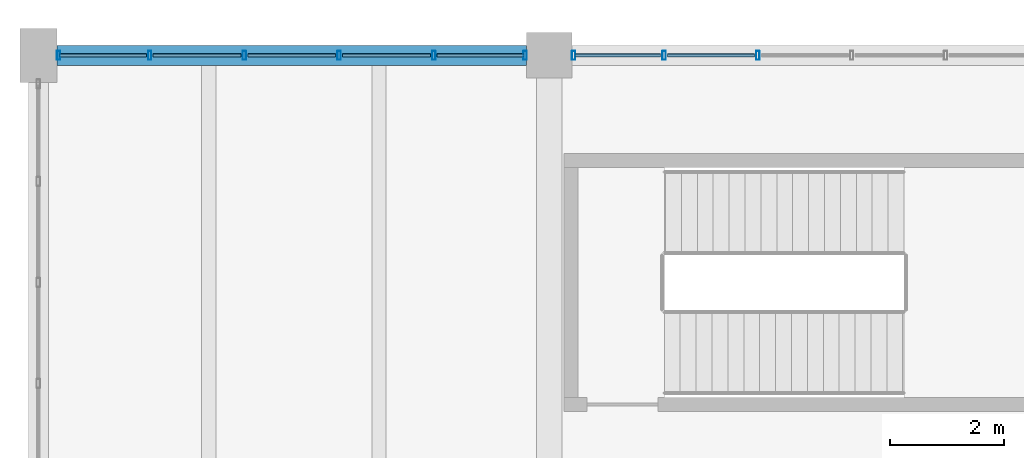
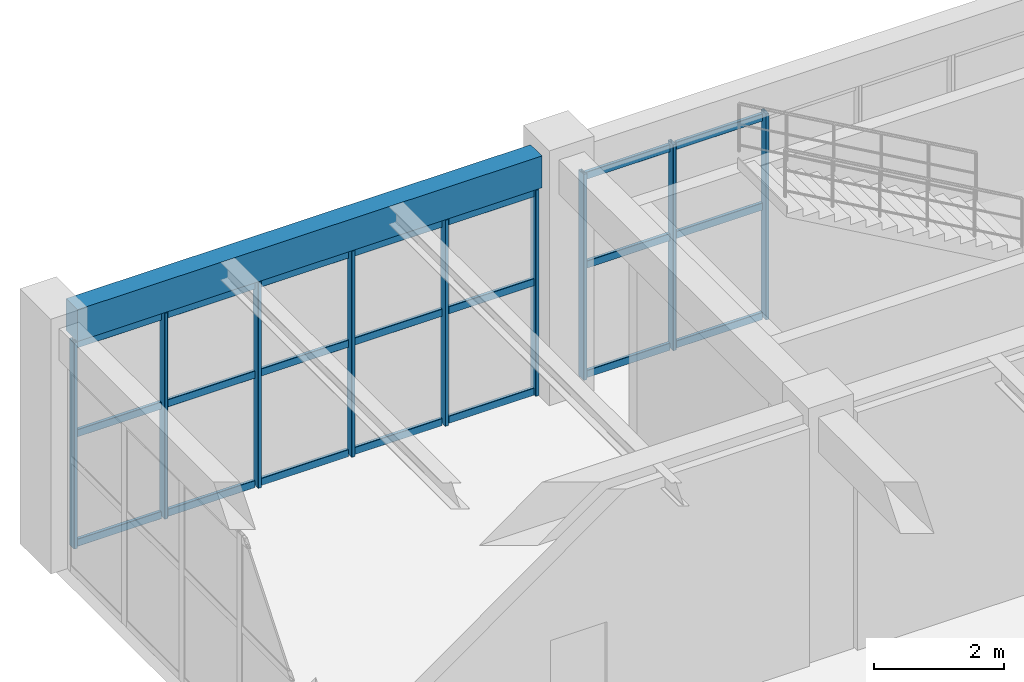
# One storey, part 87 of 178: 30 members, 1 beam, 2 elements without a shape of their own.
"""IFC4 building model written with IfcOpenShell, lengths in metres."""

import ifcopenshell
import ifcopenshell.guid

model = None  # the IFC model being written
_history = None  # IfcOwnerHistory: only IFC2X3 demands one
_inside = {}  # id of a spatial element -> (the spatial element, [elements in it])
_under = {}  # id of a project, library or spatial element -> (it, [spatial elements below it])
_declared = {}  # id of a project -> (the project, [libraries it declares])
_typed = {}  # id of a type object -> (the type object, [elements of that type])
_made_of = {}  # id of a material, layer set ... -> (it, [elements and type objects made of it])


def new_model(schema):
    """Start an empty IFC model of exactly this schema.

    Asked for "IFC4X3", IfcOpenShell would pick the latest addendum, in which some entities
    have other attributes; the version numbers below select the first issue.
    IFC2X3 requires an IfcOwnerHistory on every rooted entity: one is made here for all.
    """
    global model, _history
    if schema == "IFC4X3":
        model = ifcopenshell.file(schema_version=(4, 3, 0, 0))
    else:
        model = ifcopenshell.file(schema=schema)
    _inside.clear()
    _under.clear()
    _declared.clear()
    _typed.clear()
    _made_of.clear()
    _history = None
    if model.schema == "IFC2X3":
        org = make("IfcOrganization", Name="unknown")
        user = make(
            "IfcPersonAndOrganization",
            ThePerson=make("IfcPerson", FamilyName="unknown"),
            TheOrganization=org,
        )
        app = make(
            "IfcApplication",
            ApplicationDeveloper=org,
            Version="unknown",
            ApplicationFullName="unknown",
            ApplicationIdentifier="unknown",
        )
        _history = make(
            "IfcOwnerHistory",
            OwningUser=user,
            OwningApplication=app,
            ChangeAction="ADDED",
            CreationDate=0,
        )
    return model


def make(cls, **values):
    """One entity of the class cls with the attributes given. An attribute that is None is left unset."""
    return model.create_entity(
        cls, **{name: value for name, value in values.items() if value is not None}
    )


def rooted(cls, **values):
    """An entity with a GlobalId (a new one), such as an element, a storey or a relation."""
    return make(cls, GlobalId=ifcopenshell.guid.new(), OwnerHistory=_history, **values)


def si_unit(unit_type, name, prefix=None):
    """IfcSIUnit, for example si_unit("LENGTHUNIT", "METRE", prefix="MILLI")."""
    return make("IfcSIUnit", UnitType=unit_type, Prefix=prefix, Name=name)


def derived_unit(unit_type, elements):
    """IfcDerivedUnit: a product of units, each with its exponent."""
    return make(
        "IfcDerivedUnit",
        Elements=[
            make("IfcDerivedUnitElement", Unit=unit, Exponent=power)
            for unit, power in elements
        ],
        UnitType=unit_type,
    )


def assignment(units):
    """IfcUnitAssignment: the units of a project."""
    return None if units is None else make("IfcUnitAssignment", Units=units)


def point(xyz):
    """IfcCartesianPoint."""
    return None if xyz is None else make("IfcCartesianPoint", Coordinates=xyz)


def direction(xyz):
    """IfcDirection."""
    return None if xyz is None else make("IfcDirection", DirectionRatios=xyz)


def frame(location, z_axis=None, x_axis=None):
    """IfcAxis2Placement3D, a coordinate frame: its origin and axes. An axis left out is left unset."""
    return make(
        "IfcAxis2Placement3D",
        Location=point(location),
        Axis=direction(z_axis),
        RefDirection=direction(x_axis),
    )


def frame_2d(location, x_axis=None):
    """IfcAxis2Placement2D, a coordinate frame in the plane: its origin and x axis."""
    return make(
        "IfcAxis2Placement2D", Location=point(location), RefDirection=direction(x_axis)
    )


def origin():
    """The frame at (0, 0, 0) with its axes left unset."""
    return frame((0.0, 0.0, 0.0))


def origin_2d():
    """The frame at (0, 0) in the plane with its x axis left unset."""
    return frame_2d((0.0, 0.0))


def place(relative_to, where):
    """IfcLocalPlacement: puts the frame where relative to a parent placement (None: the world)."""
    return make(
        "IfcLocalPlacement", PlacementRelTo=relative_to, RelativePlacement=where
    )


def context(
    kind, dimensions, precision=None, world=None, true_north=None, identifier=None
):
    """IfcGeometricRepresentationContext, for example the 3D "Model" context."""
    return make(
        "IfcGeometricRepresentationContext",
        ContextIdentifier=identifier,
        ContextType=kind,
        CoordinateSpaceDimension=dimensions,
        Precision=precision,
        WorldCoordinateSystem=world,
        TrueNorth=true_north,
    )


def subcontext(parent, identifier, kind, view, scale=None):
    """IfcGeometricRepresentationSubContext, for example "Body" below "Model"."""
    return make(
        "IfcGeometricRepresentationSubContext",
        ContextIdentifier=identifier,
        ContextType=kind,
        ParentContext=parent,
        TargetScale=scale,
        TargetView=view,
    )


def project(units=None, contexts=None):
    """IfcProject with its units and contexts."""
    return rooted(
        "IfcProject",
        Name="project",
        RepresentationContexts=contexts,
        UnitsInContext=assignment(units),
    )


def spatial(cls, under=None, at=None, **own):
    """A site, building, storey or space (cls), placed at a placement, below another one or the project."""
    s = rooted(cls, ObjectPlacement=at, **own)
    if under is not None:
        _under.setdefault(under.id(), (under, []))[1].append(s)
    return s


def profile(cls, at=None, kind="AREA", **sizes):
    """A parametric profile (cls). Its sizes go by their IFC names, for example OverallWidth=200.0."""
    return make(cls, ProfileType=kind, Position=at, **sizes)


def rectangle(**sizes):
    """IfcRectangleProfileDef."""
    return profile("IfcRectangleProfileDef", **sizes)


def hollow_rectangle(**sizes):
    """IfcRectangleHollowProfileDef."""
    return profile("IfcRectangleHollowProfileDef", **sizes)


def extrude(swept, where, along, depth):
    """IfcExtrudedAreaSolid: the profile swept, set in the frame where, extruded along a direction by depth."""
    return make(
        "IfcExtrudedAreaSolid",
        SweptArea=swept,
        Position=where,
        ExtrudedDirection=direction(along),
        Depth=depth,
    )


def shape(context_of_items, identifier, shape_type, items):
    """IfcShapeRepresentation: the items that make up one representation, for example the "Body"."""
    return make(
        "IfcShapeRepresentation",
        ContextOfItems=context_of_items,
        RepresentationIdentifier=identifier,
        RepresentationType=shape_type,
        Items=items,
    )


def material(Name=None, Category=None):
    """IfcMaterial."""
    return make("IfcMaterial", Name=Name, Category=Category)


def material_profile(
    of_material, cross_section, Name=None, Category=None, Priority=None
):
    """IfcMaterialProfile: a cross section and its material."""
    return make(
        "IfcMaterialProfile",
        Name=Name,
        Material=of_material,
        Profile=cross_section,
        Priority=Priority,
        Category=Category,
    )


def profile_set(profiles, Name=None, composite=None):
    """IfcMaterialProfileSet."""
    return make(
        "IfcMaterialProfileSet",
        Name=Name,
        MaterialProfiles=profiles,
        CompositeProfile=composite,
    )


def made_of(thing, what):
    """Note that an element or type object is made of a material, layer set ...; save() writes the relation."""
    if what is not None:
        _made_of.setdefault(what.id(), (what, []))[1].append(thing)
    return thing


def type_object(cls, material=None, **own):
    """A type object (cls), such as IfcWallType, which elements share."""
    return made_of(rooted(cls, **own), material)


def element(
    cls,
    number,
    at=None,
    inside=None,
    cuts=None,
    type_object=None,
    material=None,
    context=None,
    identifier="Body",
    shape_type=None,
    held_by="IfcProductDefinitionShape",
    body=None,
    shapes=None,
    **own,
):
    """One element of the class cls, such as IfcWall. Its Tag is "e" and its number.

    at: its placement. inside: the storey or other place that contains it. cuts: it is an
    opening in that element (IfcRelVoidsElement). A single representation is given by context,
    identifier, shape_type and body (its items); several are given by shapes. held_by: the class
    of the entity that holds the representations. save() writes the other relations.
    """
    e = rooted(cls, Tag="e%d" % number, ObjectPlacement=at, **own)
    if body is not None:
        shapes = [shape(context, identifier, shape_type, body)]
    if shapes is not None:
        e.Representation = make(held_by, Representations=shapes)
    if inside is not None:
        _inside.setdefault(inside.id(), (inside, []))[1].append(e)
    if cuts is not None:
        rooted(
            "IfcRelVoidsElement", RelatingBuildingElement=cuts, RelatedOpeningElement=e
        )
    if type_object is not None:
        _typed.setdefault(type_object.id(), (type_object, []))[1].append(e)
    return made_of(e, material)


def aggregate(whole, parts):
    """IfcRelAggregates: a whole, such as a stair, and the parts it consists of."""
    return rooted("IfcRelAggregates", RelatingObject=whole, RelatedObjects=parts)


def save(model, path):
    """Write the relations noted so far, then the file.

    IfcRelAggregates (storeys below a building ...), IfcRelContainedInSpatialStructure (elements
    in a storey), IfcRelDefinesByType, IfcRelAssociatesMaterial and IfcRelDeclares: one each for
    every whole, place, type object, material and project.
    """
    for whole, parts in _under.values():
        aggregate(whole, parts)
    for where, things in _inside.values():
        rooted(
            "IfcRelContainedInSpatialStructure",
            RelatedElements=things,
            RelatingStructure=where,
        )
    for kind, things in _typed.values():
        rooted("IfcRelDefinesByType", RelatedObjects=things, RelatingType=kind)
    for what, things in _made_of.values():
        rooted("IfcRelAssociatesMaterial", RelatedObjects=things, RelatingMaterial=what)
    for by, libraries in _declared.values():
        rooted("IfcRelDeclares", RelatingContext=by, RelatedDefinitions=libraries)
    model.write(path)


model = new_model("IFC4")

# Units and contexts
model_context = context("Model", 3, precision=1e-05, world=origin(), true_north=direction((0.0, 1.0)))
body_context = subcontext(model_context, "Body", "Model", "MODEL_VIEW")
ifc_project = project(units=[si_unit("LENGTHUNIT", "METRE"), si_unit("AREAUNIT", "SQUARE_METRE"), si_unit("VOLUMEUNIT", "CUBIC_METRE"), si_unit("PLANEANGLEUNIT", "RADIAN"), si_unit("MASSUNIT", "GRAM", prefix="KILO"), derived_unit("THERMALTRANSMITTANCEUNIT", [(si_unit("MASSUNIT", "GRAM", prefix="KILO"), 1), (si_unit("TIMEUNIT", "SECOND"), -3), (si_unit("THERMODYNAMICTEMPERATUREUNIT", "KELVIN"), -1)])], contexts=[model_context])

# Site, building, storey
site_placement = place(None, origin())
site = spatial("IfcSite", under=ifc_project, at=site_placement, CompositionType="ELEMENT")
building_placement = place(site_placement, origin())
building = spatial("IfcBuilding", under=site, at=building_placement, Name="Zhenchuan Archway Interchange", CompositionType="ELEMENT")
storey_placement = place(building_placement, frame((0.0, 0.0, 5.39990234375)))
storey = spatial("IfcBuildingStorey", under=building, at=storey_placement, Name="L01", CompositionType="ELEMENT", Elevation=5.39990234375)

# Curtain wall, members
ifc_material_1 = material(Name="Anodised Aluminium", Category="aluminium")
curtain_wall_type_1 = type_object("IfcCurtainWallType", Name="CW_UNIT_2", PredefinedType="NOTDEFINED", material=ifc_material_1)
curtain_wall_1_placement = place(storey_placement, origin())
curtain_wall_1 = element("IfcCurtainWall", 1, at=curtain_wall_1_placement, inside=storey, type_object=curtain_wall_type_1, Name="Unitised curtain wall CW:L01:045", PredefinedType="NOTDEFINED")
ifc_material_profile_1 = material_profile(ifc_material_1, hollow_rectangle(XDim=0.06005859375, YDim=0.159912109375, WallThickness=0.00390625, InnerFilletRadius=0.00390625, OuterFilletRadius=0.008056640625, at=origin_2d()), Name="ALU 160x60x4")
ifc_profile_set_1 = profile_set([ifc_material_profile_1], Name="Anodised Aluminium")
member_type_1 = type_object("IfcMemberType", Name="CW_MUL_150", PredefinedType="MULLION", material=ifc_profile_set_1)
member_1_placement = place(storey_placement, frame((0.35302734375, 112.0, 0.0), z_axis=(0.0, 0.0, 1.0), x_axis=(1.0, 0.0, 0.0)))
member_1 = element("IfcMember", 2, at=member_1_placement, type_object=member_type_1, Name="CW:L01:045 mullion 0", PredefinedType="MULLION", context=body_context, shape_type="SweptSolid", body=[
    extrude(hollow_rectangle(XDim=0.06005859375, YDim=0.159912109375, WallThickness=0.00390625, InnerFilletRadius=0.00390625, OuterFilletRadius=0.008056640625, at=origin_2d()), origin(), (0.0, 0.0, 1.0), 3.880126953125),
])
member_2_placement = place(storey_placement, frame((1.960693359375, 112.0, 0.0), z_axis=(0.0, 0.0, 1.0), x_axis=(1.0, 0.0, 0.0)))
member_2 = element("IfcMember", 3, at=member_2_placement, type_object=member_type_1, Name="CW:L01:045 mullion 1", PredefinedType="MULLION", context=body_context, shape_type="SweptSolid", body=[
    extrude(hollow_rectangle(XDim=0.06005859375, YDim=0.159912109375, WallThickness=0.00390625, InnerFilletRadius=0.00390625, OuterFilletRadius=0.008056640625, at=origin_2d()), origin(), (0.0, 0.0, 1.0), 3.880126953125),
])
member_3_placement = place(storey_placement, frame((3.628662109375, 112.0, 0.0), z_axis=(0.0, 0.0, 1.0), x_axis=(1.0, 0.0, 0.0)))
member_3 = element("IfcMember", 4, at=member_3_placement, type_object=member_type_1, Name="CW:L01:045 mullion 2", PredefinedType="MULLION", context=body_context, shape_type="SweptSolid", body=[
    extrude(hollow_rectangle(XDim=0.06005859375, YDim=0.159912109375, WallThickness=0.00390625, InnerFilletRadius=0.00390625, OuterFilletRadius=0.008056640625, at=origin_2d()), origin(), (0.0, 0.0, 1.0), 3.880126953125),
])
member_4_placement = place(storey_placement, frame((5.29638671875, 112.0, 0.0), z_axis=(0.0, 0.0, 1.0), x_axis=(1.0, 0.0, 0.0)))
member_4 = element("IfcMember", 5, at=member_4_placement, type_object=member_type_1, Name="CW:L01:045 mullion 3", PredefinedType="MULLION", context=body_context, shape_type="SweptSolid", body=[
    extrude(hollow_rectangle(XDim=0.06005859375, YDim=0.159912109375, WallThickness=0.00390625, InnerFilletRadius=0.00390625, OuterFilletRadius=0.008056640625, at=origin_2d()), origin(), (0.0, 0.0, 1.0), 3.880126953125),
])
member_5_placement = place(storey_placement, frame((6.964111328125, 112.0, 0.0), z_axis=(0.0, 0.0, 1.0), x_axis=(1.0, 0.0, 0.0)))
member_5 = element("IfcMember", 6, at=member_5_placement, type_object=member_type_1, Name="CW:L01:045 mullion 4", PredefinedType="MULLION", context=body_context, shape_type="SweptSolid", body=[
    extrude(hollow_rectangle(XDim=0.06005859375, YDim=0.159912109375, WallThickness=0.00390625, InnerFilletRadius=0.00390625, OuterFilletRadius=0.008056640625, at=origin_2d()), origin(), (0.0, 0.0, 1.0), 3.880126953125),
])
member_6_placement = place(storey_placement, frame((8.572021484375, 112.0, 0.0), z_axis=(0.0, 0.0, 1.0), x_axis=(1.0, 0.0, 0.0)))
member_6 = element("IfcMember", 7, at=member_6_placement, type_object=member_type_1, Name="CW:L01:045 mullion 5", PredefinedType="MULLION", context=body_context, shape_type="SweptSolid", body=[
    extrude(hollow_rectangle(XDim=0.06005859375, YDim=0.159912109375, WallThickness=0.00390625, InnerFilletRadius=0.00390625, OuterFilletRadius=0.008056640625, at=origin_2d()), origin(), (0.0, 0.0, 1.0), 3.880126953125),
])

curtain_wall_type_2 = type_object("IfcCurtainWallType", Name="CW_UNIT_3", PredefinedType="NOTDEFINED", material=ifc_material_1)
curtain_wall_2_placement = place(storey_placement, origin())
curtain_wall_2 = element("IfcCurtainWall", 8, at=curtain_wall_2_placement, inside=storey, type_object=curtain_wall_type_2, Name="Unitised curtain wall CW:L01:046", PredefinedType="NOTDEFINED")
member_7_placement = place(storey_placement, frame((9.427978515625, 112.0, 0.0), z_axis=(0.0, 0.0, 1.0), x_axis=(1.0, 0.0, 0.0)))
member_7 = element("IfcMember", 9, at=member_7_placement, type_object=member_type_1, Name="CW:L01:046 mullion 0", PredefinedType="MULLION", context=body_context, shape_type="SweptSolid", body=[
    extrude(hollow_rectangle(XDim=0.06005859375, YDim=0.159912109375, WallThickness=0.00390625, InnerFilletRadius=0.00390625, OuterFilletRadius=0.008056640625, at=origin_2d()), origin(), (0.0, 0.0, 1.0), 3.880126953125),
])
member_8_placement = place(storey_placement, frame((11.020751953125, 112.0, 0.0), z_axis=(0.0, 0.0, 1.0), x_axis=(1.0, 0.0, 0.0)))
member_8 = element("IfcMember", 10, at=member_8_placement, type_object=member_type_1, Name="CW:L01:046 mullion 1", PredefinedType="MULLION", context=body_context, shape_type="SweptSolid", body=[
    extrude(hollow_rectangle(XDim=0.06005859375, YDim=0.159912109375, WallThickness=0.00390625, InnerFilletRadius=0.00390625, OuterFilletRadius=0.008056640625, at=origin_2d()), origin(), (0.0, 0.0, 1.0), 3.880126953125),
])
member_9_placement = place(storey_placement, frame((12.673583984375, 112.0, 0.0), z_axis=(0.0, 0.0, 1.0), x_axis=(1.0, 0.0, 0.0)))
member_9 = element("IfcMember", 11, at=member_9_placement, type_object=member_type_1, Name="CW:L01:046 mullion 2", PredefinedType="MULLION", context=body_context, shape_type="SweptSolid", body=[
    extrude(hollow_rectangle(XDim=0.06005859375, YDim=0.159912109375, WallThickness=0.00390625, InnerFilletRadius=0.00390625, OuterFilletRadius=0.008056640625, at=origin_2d()), origin(), (0.0, 0.0, 1.0), 3.880126953125),
])

# Member
ifc_material_profile_2 = material_profile(ifc_material_1, hollow_rectangle(XDim=0.06005859375, YDim=0.139892578125, WallThickness=0.00341796875, InnerFilletRadius=0.00341796875, OuterFilletRadius=0.007080078125, at=origin_2d()), Name="ALU 140x60x3.5")
ifc_profile_set_2 = profile_set([ifc_material_profile_2], Name="Anodised Aluminium")
member_type_2 = type_object("IfcMemberType", Name="CW_TRN_140", PredefinedType="USERDEFINED", material=ifc_profile_set_2)
member_10_placement = place(storey_placement, frame((0.373046875, 112.0, 0.06005859375), z_axis=(1.0, 0.0, 0.0), x_axis=(0.0, 1.0, 0.0)))
member_10 = element("IfcMember", 12, at=member_10_placement, type_object=member_type_2, Name="CW:L01:045 transom 0-1", ObjectType="TRANSOM", PredefinedType="USERDEFINED", context=body_context, shape_type="SweptSolid", body=[
    extrude(hollow_rectangle(XDim=0.06005859375, YDim=0.139892578125, WallThickness=0.00341796875, InnerFilletRadius=0.00341796875, OuterFilletRadius=0.007080078125, at=origin_2d()), origin(), (0.0, 0.0, 1.0), 1.52783203125),
])

member_11_placement = place(storey_placement, frame((0.373046875, 112.0, 2.123046875), z_axis=(1.0, 0.0, 0.0), x_axis=(0.0, 1.0, 0.0)))
member_11 = element("IfcMember", 13, at=member_11_placement, type_object=member_type_2, Name="CW:L01:045 transom 0-2", ObjectType="TRANSOM", PredefinedType="USERDEFINED", context=body_context, shape_type="SweptSolid", body=[
    extrude(hollow_rectangle(XDim=0.06005859375, YDim=0.139892578125, WallThickness=0.00341796875, InnerFilletRadius=0.00341796875, OuterFilletRadius=0.007080078125, at=origin_2d()), origin(), (0.0, 0.0, 1.0), 1.52783203125),
])

member_12_placement = place(storey_placement, frame((0.373046875, 112.0, 3.800048828125), z_axis=(1.0, 0.0, 0.0), x_axis=(0.0, 1.0, 0.0)))
member_12 = element("IfcMember", 14, at=member_12_placement, type_object=member_type_2, Name="CW:L01:045 transom 0-3", ObjectType="TRANSOM", PredefinedType="USERDEFINED", context=body_context, shape_type="SweptSolid", body=[
    extrude(hollow_rectangle(XDim=0.06005859375, YDim=0.139892578125, WallThickness=0.00341796875, InnerFilletRadius=0.00341796875, OuterFilletRadius=0.007080078125, at=origin_2d()), origin(), (0.0, 0.0, 1.0), 1.52783203125),
])

member_13_placement = place(storey_placement, frame((2.020751953125, 112.0, 0.06005859375), z_axis=(1.0, 0.0, 0.0), x_axis=(0.0, 1.0, 0.0)))
member_13 = element("IfcMember", 15, at=member_13_placement, type_object=member_type_2, Name="CW:L01:045 transom 1-1", ObjectType="TRANSOM", PredefinedType="USERDEFINED", context=body_context, shape_type="SweptSolid", body=[
    extrude(hollow_rectangle(XDim=0.06005859375, YDim=0.139892578125, WallThickness=0.00341796875, InnerFilletRadius=0.00341796875, OuterFilletRadius=0.007080078125, at=origin_2d()), origin(), (0.0, 0.0, 1.0), 1.5478515625),
])

member_14_placement = place(storey_placement, frame((2.020751953125, 112.0, 2.123046875), z_axis=(1.0, 0.0, 0.0), x_axis=(0.0, 1.0, 0.0)))
member_14 = element("IfcMember", 16, at=member_14_placement, type_object=member_type_2, Name="CW:L01:045 transom 1-2", ObjectType="TRANSOM", PredefinedType="USERDEFINED", context=body_context, shape_type="SweptSolid", body=[
    extrude(hollow_rectangle(XDim=0.06005859375, YDim=0.139892578125, WallThickness=0.00341796875, InnerFilletRadius=0.00341796875, OuterFilletRadius=0.007080078125, at=origin_2d()), origin(), (0.0, 0.0, 1.0), 1.5478515625),
])

member_15_placement = place(storey_placement, frame((2.020751953125, 112.0, 3.800048828125), z_axis=(1.0, 0.0, 0.0), x_axis=(0.0, 1.0, 0.0)))
member_15 = element("IfcMember", 17, at=member_15_placement, type_object=member_type_2, Name="CW:L01:045 transom 1-3", ObjectType="TRANSOM", PredefinedType="USERDEFINED", context=body_context, shape_type="SweptSolid", body=[
    extrude(hollow_rectangle(XDim=0.06005859375, YDim=0.139892578125, WallThickness=0.00341796875, InnerFilletRadius=0.00341796875, OuterFilletRadius=0.007080078125, at=origin_2d()), origin(), (0.0, 0.0, 1.0), 1.5478515625),
])

member_16_placement = place(storey_placement, frame((3.688720703125, 112.0, 0.06005859375), z_axis=(1.0, 0.0, 0.0), x_axis=(0.0, 1.0, 0.0)))
member_16 = element("IfcMember", 18, at=member_16_placement, type_object=member_type_2, Name="CW:L01:045 transom 2-1", ObjectType="TRANSOM", PredefinedType="USERDEFINED", context=body_context, shape_type="SweptSolid", body=[
    extrude(hollow_rectangle(XDim=0.06005859375, YDim=0.139892578125, WallThickness=0.00341796875, InnerFilletRadius=0.00341796875, OuterFilletRadius=0.007080078125, at=origin_2d()), origin(), (0.0, 0.0, 1.0), 1.547607421875),
])

member_17_placement = place(storey_placement, frame((3.688720703125, 112.0, 2.123046875), z_axis=(1.0, 0.0, 0.0), x_axis=(0.0, 1.0, 0.0)))
member_17 = element("IfcMember", 19, at=member_17_placement, type_object=member_type_2, Name="CW:L01:045 transom 2-2", ObjectType="TRANSOM", PredefinedType="USERDEFINED", context=body_context, shape_type="SweptSolid", body=[
    extrude(hollow_rectangle(XDim=0.06005859375, YDim=0.139892578125, WallThickness=0.00341796875, InnerFilletRadius=0.00341796875, OuterFilletRadius=0.007080078125, at=origin_2d()), origin(), (0.0, 0.0, 1.0), 1.547607421875),
])

member_18_placement = place(storey_placement, frame((3.688720703125, 112.0, 3.800048828125), z_axis=(1.0, 0.0, 0.0), x_axis=(0.0, 1.0, 0.0)))
member_18 = element("IfcMember", 20, at=member_18_placement, type_object=member_type_2, Name="CW:L01:045 transom 2-3", ObjectType="TRANSOM", PredefinedType="USERDEFINED", context=body_context, shape_type="SweptSolid", body=[
    extrude(hollow_rectangle(XDim=0.06005859375, YDim=0.139892578125, WallThickness=0.00341796875, InnerFilletRadius=0.00341796875, OuterFilletRadius=0.007080078125, at=origin_2d()), origin(), (0.0, 0.0, 1.0), 1.547607421875),
])

member_19_placement = place(storey_placement, frame((5.3564453125, 112.0, 0.06005859375), z_axis=(1.0, 0.0, 0.0), x_axis=(0.0, 1.0, 0.0)))
member_19 = element("IfcMember", 21, at=member_19_placement, type_object=member_type_2, Name="CW:L01:045 transom 3-1", ObjectType="TRANSOM", PredefinedType="USERDEFINED", context=body_context, shape_type="SweptSolid", body=[
    extrude(hollow_rectangle(XDim=0.06005859375, YDim=0.139892578125, WallThickness=0.00341796875, InnerFilletRadius=0.00341796875, OuterFilletRadius=0.007080078125, at=origin_2d()), origin(), (0.0, 0.0, 1.0), 1.5478515625),
])

member_20_placement = place(storey_placement, frame((5.3564453125, 112.0, 2.123046875), z_axis=(1.0, 0.0, 0.0), x_axis=(0.0, 1.0, 0.0)))
member_20 = element("IfcMember", 22, at=member_20_placement, type_object=member_type_2, Name="CW:L01:045 transom 3-2", ObjectType="TRANSOM", PredefinedType="USERDEFINED", context=body_context, shape_type="SweptSolid", body=[
    extrude(hollow_rectangle(XDim=0.06005859375, YDim=0.139892578125, WallThickness=0.00341796875, InnerFilletRadius=0.00341796875, OuterFilletRadius=0.007080078125, at=origin_2d()), origin(), (0.0, 0.0, 1.0), 1.5478515625),
])

member_21_placement = place(storey_placement, frame((5.3564453125, 112.0, 3.800048828125), z_axis=(1.0, 0.0, 0.0), x_axis=(0.0, 1.0, 0.0)))
member_21 = element("IfcMember", 23, at=member_21_placement, type_object=member_type_2, Name="CW:L01:045 transom 3-3", ObjectType="TRANSOM", PredefinedType="USERDEFINED", context=body_context, shape_type="SweptSolid", body=[
    extrude(hollow_rectangle(XDim=0.06005859375, YDim=0.139892578125, WallThickness=0.00341796875, InnerFilletRadius=0.00341796875, OuterFilletRadius=0.007080078125, at=origin_2d()), origin(), (0.0, 0.0, 1.0), 1.5478515625),
])

member_22_placement = place(storey_placement, frame((7.024169921875, 112.0, 0.06005859375), z_axis=(1.0, 0.0, 0.0), x_axis=(0.0, 1.0, 0.0)))
member_22 = element("IfcMember", 24, at=member_22_placement, type_object=member_type_2, Name="CW:L01:045 transom 4-1", ObjectType="TRANSOM", PredefinedType="USERDEFINED", context=body_context, shape_type="SweptSolid", body=[
    extrude(hollow_rectangle(XDim=0.06005859375, YDim=0.139892578125, WallThickness=0.00341796875, InnerFilletRadius=0.00341796875, OuterFilletRadius=0.007080078125, at=origin_2d()), origin(), (0.0, 0.0, 1.0), 1.52783203125),
])

member_23_placement = place(storey_placement, frame((7.024169921875, 112.0, 2.123046875), z_axis=(1.0, 0.0, 0.0), x_axis=(0.0, 1.0, 0.0)))
member_23 = element("IfcMember", 25, at=member_23_placement, type_object=member_type_2, Name="CW:L01:045 transom 4-2", ObjectType="TRANSOM", PredefinedType="USERDEFINED", context=body_context, shape_type="SweptSolid", body=[
    extrude(hollow_rectangle(XDim=0.06005859375, YDim=0.139892578125, WallThickness=0.00341796875, InnerFilletRadius=0.00341796875, OuterFilletRadius=0.007080078125, at=origin_2d()), origin(), (0.0, 0.0, 1.0), 1.52783203125),
])

member_24_placement = place(storey_placement, frame((7.024169921875, 112.0, 3.800048828125), z_axis=(1.0, 0.0, 0.0), x_axis=(0.0, 1.0, 0.0)))
member_24 = element("IfcMember", 26, at=member_24_placement, type_object=member_type_2, Name="CW:L01:045 transom 4-3", ObjectType="TRANSOM", PredefinedType="USERDEFINED", context=body_context, shape_type="SweptSolid", body=[
    extrude(hollow_rectangle(XDim=0.06005859375, YDim=0.139892578125, WallThickness=0.00341796875, InnerFilletRadius=0.00341796875, OuterFilletRadius=0.007080078125, at=origin_2d()), origin(), (0.0, 0.0, 1.0), 1.52783203125),
])

aggregate(curtain_wall_1, [member_1, member_2, member_3, member_4, member_5, member_6, member_10, member_11, member_12, member_13, member_14, member_15, member_16, member_17, member_18, member_19, member_20, member_21, member_22, member_23, member_24])

member_25_placement = place(storey_placement, frame((9.447998046875, 112.0, 0.06005859375), z_axis=(1.0, 0.0, 0.0), x_axis=(0.0, 1.0, 0.0)))
member_25 = element("IfcMember", 27, at=member_25_placement, type_object=member_type_2, Name="CW:L01:046 transom 0-1", ObjectType="TRANSOM", PredefinedType="USERDEFINED", context=body_context, shape_type="SweptSolid", body=[
    extrude(hollow_rectangle(XDim=0.06005859375, YDim=0.139892578125, WallThickness=0.00341796875, InnerFilletRadius=0.00341796875, OuterFilletRadius=0.007080078125, at=origin_2d()), origin(), (0.0, 0.0, 1.0), 1.5126953125),
])

member_26_placement = place(storey_placement, frame((9.447998046875, 112.0, 2.123046875), z_axis=(1.0, 0.0, 0.0), x_axis=(0.0, 1.0, 0.0)))
member_26 = element("IfcMember", 28, at=member_26_placement, type_object=member_type_2, Name="CW:L01:046 transom 0-2", ObjectType="TRANSOM", PredefinedType="USERDEFINED", context=body_context, shape_type="SweptSolid", body=[
    extrude(hollow_rectangle(XDim=0.06005859375, YDim=0.139892578125, WallThickness=0.00341796875, InnerFilletRadius=0.00341796875, OuterFilletRadius=0.007080078125, at=origin_2d()), origin(), (0.0, 0.0, 1.0), 1.5126953125),
])

member_27_placement = place(storey_placement, frame((9.447998046875, 112.0, 3.800048828125), z_axis=(1.0, 0.0, 0.0), x_axis=(0.0, 1.0, 0.0)))
member_27 = element("IfcMember", 29, at=member_27_placement, type_object=member_type_2, Name="CW:L01:046 transom 0-3", ObjectType="TRANSOM", PredefinedType="USERDEFINED", context=body_context, shape_type="SweptSolid", body=[
    extrude(hollow_rectangle(XDim=0.06005859375, YDim=0.139892578125, WallThickness=0.00341796875, InnerFilletRadius=0.00341796875, OuterFilletRadius=0.007080078125, at=origin_2d()), origin(), (0.0, 0.0, 1.0), 1.5126953125),
])

member_28_placement = place(storey_placement, frame((11.080810546875, 112.0, 0.06005859375), z_axis=(1.0, 0.0, 0.0), x_axis=(0.0, 1.0, 0.0)))
member_28 = element("IfcMember", 30, at=member_28_placement, type_object=member_type_2, Name="CW:L01:046 transom 1-1", ObjectType="TRANSOM", PredefinedType="USERDEFINED", context=body_context, shape_type="SweptSolid", body=[
    extrude(hollow_rectangle(XDim=0.06005859375, YDim=0.139892578125, WallThickness=0.00341796875, InnerFilletRadius=0.00341796875, OuterFilletRadius=0.007080078125, at=origin_2d()), origin(), (0.0, 0.0, 1.0), 1.53271484375),
])

member_29_placement = place(storey_placement, frame((11.080810546875, 112.0, 2.123046875), z_axis=(1.0, 0.0, 0.0), x_axis=(0.0, 1.0, 0.0)))
member_29 = element("IfcMember", 31, at=member_29_placement, type_object=member_type_2, Name="CW:L01:046 transom 1-2", ObjectType="TRANSOM", PredefinedType="USERDEFINED", context=body_context, shape_type="SweptSolid", body=[
    extrude(hollow_rectangle(XDim=0.06005859375, YDim=0.139892578125, WallThickness=0.00341796875, InnerFilletRadius=0.00341796875, OuterFilletRadius=0.007080078125, at=origin_2d()), origin(), (0.0, 0.0, 1.0), 1.53271484375),
])

member_30_placement = place(storey_placement, frame((11.080810546875, 112.0, 3.800048828125), z_axis=(1.0, 0.0, 0.0), x_axis=(0.0, 1.0, 0.0)))
member_30 = element("IfcMember", 32, at=member_30_placement, type_object=member_type_2, Name="CW:L01:046 transom 1-3", ObjectType="TRANSOM", PredefinedType="USERDEFINED", context=body_context, shape_type="SweptSolid", body=[
    extrude(hollow_rectangle(XDim=0.06005859375, YDim=0.139892578125, WallThickness=0.00341796875, InnerFilletRadius=0.00341796875, OuterFilletRadius=0.007080078125, at=origin_2d()), origin(), (0.0, 0.0, 1.0), 1.53271484375),
])

aggregate(curtain_wall_2, [member_7, member_8, member_9, member_25, member_26, member_27, member_28, member_29, member_30])

# Beam
ifc_material_2 = material(Name="Concrete C40", Category="concrete")
ifc_material_profile_3 = material_profile(ifc_material_2, rectangle(XDim=0.35009765625, YDim=0.60009765625, at=origin_2d()), Name="RC 350x600")
ifc_profile_set_3 = profile_set([ifc_material_profile_3], Name="Concrete C40")
beam_type = type_object("IfcBeamType", Name="SP_RC_350x600", PredefinedType="SPANDREL", material=ifc_profile_set_3)
beam_placement = place(storey_placement, frame((0.324951171875, 112.0, 4.27001953125), z_axis=(1.0, 0.0, 0.0), x_axis=(0.0, 1.0, 0.0)))
element("IfcBeam", 33, at=beam_placement, inside=storey, type_object=beam_type, Name="Beam P:1-2 (L01)", PredefinedType="SPANDREL", context=body_context, shape_type="SweptSolid", body=[
    extrude(rectangle(XDim=0.35009765625, YDim=0.60009765625, at=origin_2d()), origin(), (0.0, 0.0, 1.0), 8.275146484375),
])

save(model, "model.ifc")
